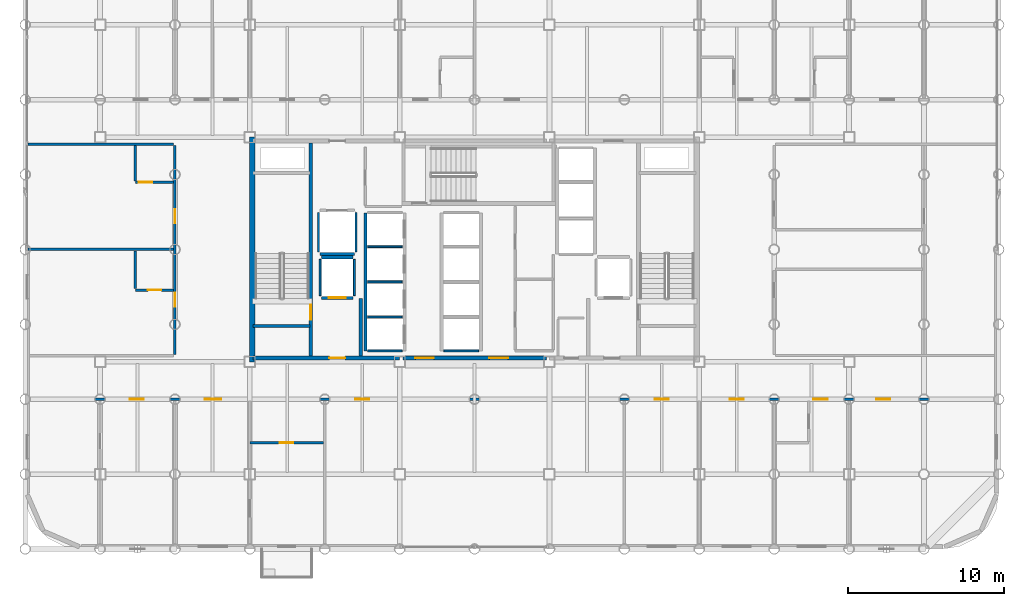
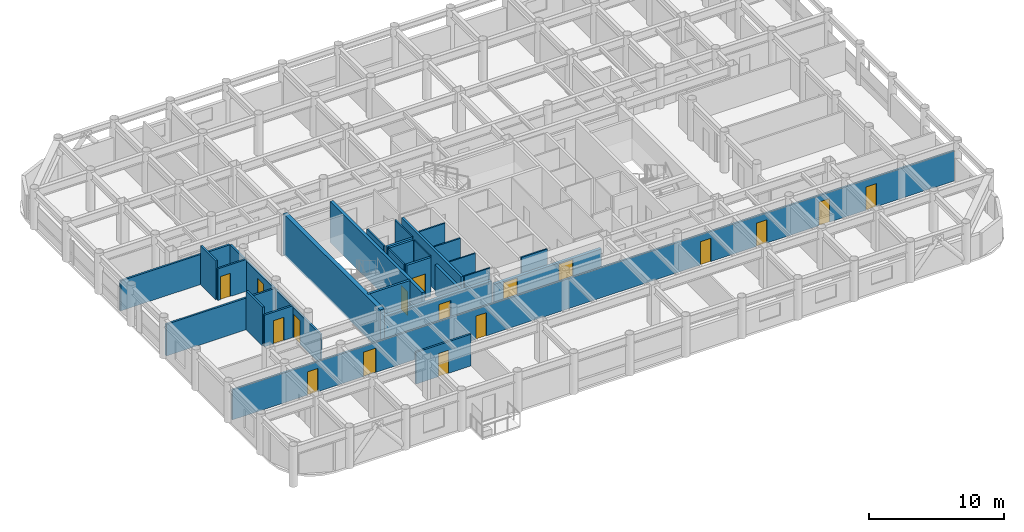
# One storey, part 17 of 22: 28 walls, 17 doors, 17 openings.
"""IFC4 building model written with IfcOpenShell, lengths in metres."""

from ifc_helpers import new_model, si_unit, direction, frame, frame_2d, origin, place, context, subcontext, project, spatial, rectangle, extrude, material, layer, layer_set, type_object, element, fill, save


model = new_model("IFC4")

# Units and contexts
model_context = context("Model", 3, precision=1e-05, world=origin(), true_north=direction((0.0, 1.0)))
body_context = subcontext(model_context, "Body", "Model", "MODEL_VIEW")
ifc_project = project(units=[si_unit("LENGTHUNIT", "METRE"), si_unit("AREAUNIT", "SQUARE_METRE"), si_unit("VOLUMEUNIT", "CUBIC_METRE"), si_unit("PLANEANGLEUNIT", "RADIAN"), si_unit("MASSUNIT", "GRAM", prefix="KILO")], contexts=[model_context])

# Site, building, storey
site_placement = place(None, origin())
site = spatial("IfcSite", under=ifc_project, at=site_placement, CompositionType="ELEMENT")
building_placement = place(site_placement, origin())
building = spatial("IfcBuilding", under=site, at=building_placement, Name="Kallvorn Hotel Tower", CompositionType="ELEMENT")
storey_placement = place(building_placement, frame((0.0, 0.0, 102.60009765625)))
storey = spatial("IfcBuildingStorey", under=building, at=storey_placement, Name="L24", CompositionType="ELEMENT", Elevation=102.60009765625)

# Wall
ifc_material_1 = material(Name="Concrete C50/60", Category="concrete")
ifc_layer_1 = layer(ifc_material_1, 0.35009765625)
ifc_layer_set_1 = layer_set([ifc_layer_1], Name="WL_CORE_350")
wall_type_1 = type_object("IfcWallType", Name="WL_CORE_350", PredefinedType="SHEAR", material=ifc_layer_set_1)
wall_1_placement = place(storey_placement, frame((-14.239990234375, -7.199951171875, -0.18017578125), z_axis=(0.0, 0.0, 1.0), x_axis=(0.0, 1.0, 0.0)))
element("IfcWall", 1, at=wall_1_placement, inside=storey, type_object=wall_type_1, Name="L24 Core West Shear Wall", PredefinedType="SHEAR", context=body_context, shape_type="SweptSolid", body=[
    extrude(rectangle(XDim=14.39990234375, YDim=0.35009765625, at=frame_2d((7.199951171875, 0.0))), origin(), (0.0, 0.0, 1.0), 3.7001953125),
])

# Wall, opening, door
ifc_material_2 = material(Name="Fire-rated double-layer acoustic gypsum drywall EI 60")
ifc_layer_2 = layer(ifc_material_2, 0.159912109375)
ifc_layer_set_2 = layer_set([ifc_layer_2], Name="WL_DEMISE_160")
wall_type_2 = type_object("IfcWallType", Name="WL_DEMISE_160", PredefinedType="PARTITIONING", material=ifc_layer_set_2)
wall_2_placement = place(storey_placement, frame((-14.39990234375, -12.39501953125, 0.0), z_axis=(0.0, 0.0, 1.0), x_axis=(1.0, 0.0, 0.0)))
wall_2 = element("IfcWall", 2, at=wall_2_placement, inside=storey, type_object=wall_type_2, Name="L24 Suite 2403 Executive Bedroom Partition", PredefinedType="PARTITIONING", context=body_context, shape_type="SweptSolid", body=[
    extrude(rectangle(XDim=4.719970703125, YDim=0.159912109375, at=frame_2d((2.35986328125, 0.0))), origin(), (0.0, 0.0, 1.0), 2.869873046875),
])
opening_1_placement = place(wall_2_placement, frame((1.929931640625, 0.0, 0.0)))
opening_1 = element("IfcOpeningElement", 3, at=opening_1_placement, cuts=wall_2, Name="Opening BD-I", PredefinedType="OPENING", context=body_context, shape_type="SweptSolid", body=[
    extrude(rectangle(XDim=0.860107421875, YDim=2.10009765625, at=frame_2d((0.43017578125, 1.050048828125))), frame((0.0, 0.094970703125, 0.0), z_axis=(0.0, -1.0, 0.0), x_axis=(1.0, 0.0, 0.0)), (0.0, 0.0, 1.0), 0.18994140625),
])
ifc_material_3 = material(Name="Solid-core walnut veneer fire-rated timber door leaf", Category="wood")
door_type_1 = type_object("IfcDoorType", Name="DR_BATH_860x2100", OperationType="NOTDEFINED", PredefinedType="DOOR", material=ifc_material_3)
door_1_placement = place(opening_1_placement, origin())
door_1 = element("IfcDoor", 4, at=door_1_placement, inside=storey, type_object=door_type_1, Name="L24 Suite 2403 En-Suite Bathroom Door", OperationType="SINGLE_SWING_RIGHT", OverallHeight=2.10009765625, OverallWidth=0.860107421875, PredefinedType="DOOR", context=body_context, shape_type="SweptSolid", body=[
    extrude(rectangle(XDim=0.860107421875, YDim=2.10009765625, at=frame_2d((0.43017578125, 1.050048828125))), frame((0.0, 0.02490234375, 0.0), z_axis=(0.0, -1.0, 0.0), x_axis=(1.0, 0.0, 0.0)), (0.0, 0.0, 1.0), 0.050048828125),
])
fill(opening_1, door_1)

# Wall, openings, doors
wall_3_placement = place(storey_placement, frame((-28.510009765625, -9.60009765625, 0.0), z_axis=(0.0, 0.0, 1.0), x_axis=(1.0, 0.0, 0.0)))
wall_3 = element("IfcWall", 5, at=wall_3_placement, inside=storey, type_object=wall_type_2, Name="L24 Suite 2403 Executive Living Salon Partition", PredefinedType="PARTITIONING", context=body_context, shape_type="SweptSolid", body=[
    extrude(rectangle(XDim=61.820068359375, YDim=0.159912109375, at=frame_2d((30.91015625, 0.0))), origin(), (0.0, 0.0, 1.0), 2.719970703125),
])
opening_2_placement = place(wall_3_placement, frame((6.419921875, 0.0, 0.0)))
opening_2 = element("IfcOpeningElement", 6, at=opening_2_placement, cuts=wall_3, Name="Opening SVD1", PredefinedType="OPENING", context=body_context, shape_type="SweptSolid", body=[
    extrude(rectangle(XDim=0.89990234375, YDim=2.10009765625, at=frame_2d((0.449951171875, 1.050048828125))), frame((0.0, 0.094970703125, 0.0), z_axis=(0.0, -1.0, 0.0), x_axis=(1.0, 0.0, 0.0)), (0.0, 0.0, 1.0), 0.18994140625),
])
opening_3_placement = place(wall_3_placement, frame((54.240478515625, 0.0, 0.0)))
opening_3 = element("IfcOpeningElement", 7, at=opening_3_placement, cuts=wall_3, Name="Opening SVD1", PredefinedType="OPENING", context=body_context, shape_type="SweptSolid", body=[
    extrude(rectangle(XDim=0.89990234375, YDim=2.10009765625, at=frame_2d((0.449951171875, 1.050048828125))), frame((0.0, 0.094970703125, 0.0), z_axis=(0.0, -1.0, 0.0), x_axis=(1.0, 0.0, 0.0)), (0.0, 0.0, 1.0), 0.18994140625),
])
opening_4_placement = place(wall_3_placement, frame((11.22509765625, 0.0, 0.0)))
opening_4 = element("IfcOpeningElement", 8, at=opening_4_placement, cuts=wall_3, Name="Opening GD2", PredefinedType="OPENING", context=body_context, shape_type="SweptSolid", body=[
    extrude(rectangle(XDim=1.050048828125, YDim=2.199951171875, at=frame_2d((0.52490234375, 1.10009765625))), frame((0.0, 0.094970703125, 0.0), z_axis=(0.0, -1.0, 0.0), x_axis=(1.0, 0.0, 0.0)), (0.0, 0.0, 1.0), 0.18994140625),
])
opening_5_placement = place(wall_3_placement, frame((20.860107421875, 0.0, 0.0)))
opening_5 = element("IfcOpeningElement", 9, at=opening_5_placement, cuts=wall_3, Name="Opening SVD1", PredefinedType="OPENING", context=body_context, shape_type="SweptSolid", body=[
    extrude(rectangle(XDim=0.89990234375, YDim=2.10009765625, at=frame_2d((0.449951171875, 1.050048828125))), frame((0.0, 0.094970703125, 0.0), z_axis=(0.0, -1.0, 0.0), x_axis=(1.0, 0.0, 0.0)), (0.0, 0.0, 1.0), 0.18994140625),
])
opening_6_placement = place(wall_3_placement, frame((40.06005859375, 0.0, 0.0)))
opening_6 = element("IfcOpeningElement", 10, at=opening_6_placement, cuts=wall_3, Name="Opening SVD1", PredefinedType="OPENING", context=body_context, shape_type="SweptSolid", body=[
    extrude(rectangle(XDim=0.89990234375, YDim=2.10009765625, at=frame_2d((0.449951171875, 1.050048828125))), frame((0.0, 0.094970703125, 0.0), z_axis=(0.0, -1.0, 0.0), x_axis=(1.0, 0.0, 0.0)), (0.0, 0.0, 1.0), 0.18994140625),
])
opening_7_placement = place(wall_3_placement, frame((44.860107421875, 0.0, 0.0)))
opening_7 = element("IfcOpeningElement", 11, at=opening_7_placement, cuts=wall_3, Name="Opening SVD1", PredefinedType="OPENING", context=body_context, shape_type="SweptSolid", body=[
    extrude(rectangle(XDim=0.89990234375, YDim=2.10009765625, at=frame_2d((0.449951171875, 1.050048828125))), frame((0.0, 0.094970703125, 0.0), z_axis=(0.0, -1.0, 0.0), x_axis=(1.0, 0.0, 0.0)), (0.0, 0.0, 1.0), 0.18994140625),
])
opening_8_placement = place(wall_3_placement, frame((50.219970703125, 0.0, 0.0)))
opening_8 = element("IfcOpeningElement", 12, at=opening_8_placement, cuts=wall_3, Name="Opening GD1", PredefinedType="OPENING", context=body_context, shape_type="SweptSolid", body=[
    extrude(rectangle(XDim=0.919921875, YDim=2.14990234375, at=frame_2d((0.4599609375, 1.074951171875))), frame((0.0, 0.094970703125, 0.0), z_axis=(0.0, -1.0, 0.0), x_axis=(1.0, 0.0, 0.0)), (0.0, 0.0, 1.0), 0.18994140625),
])
ifc_material_4 = material(Name="Solid-core walnut veneer fire-rated timber door leaf", Category="wood")
door_type_2 = type_object("IfcDoorType", Name="DR_GUEST_920x2150", OperationType="NOTDEFINED", PredefinedType="DOOR", material=ifc_material_4)
door_2_placement = place(opening_8_placement, origin())
door_2 = element("IfcDoor", 13, at=door_2_placement, inside=storey, type_object=door_type_2, Name="L24 Suite 2404 Deluxe King Room Door", OperationType="SINGLE_SWING_LEFT", OverallHeight=2.14990234375, OverallWidth=0.919921875, PredefinedType="DOOR", context=body_context, shape_type="SweptSolid", body=[
    extrude(rectangle(XDim=0.919921875, YDim=2.14990234375, at=frame_2d((0.4599609375, 1.074951171875))), frame((0.0, 0.02490234375, 0.0), z_axis=(0.0, -1.0, 0.0), x_axis=(1.0, 0.0, 0.0)), (0.0, 0.0, 1.0), 0.050048828125),
])
fill(opening_8, door_2)
ifc_material_5 = material(Name="Galvanised painted steel fire-rated door assembly", Category="steel")
door_type_3 = type_object("IfcDoorType", Name="DR_SERV_900x2100", OperationType="NOTDEFINED", PredefinedType="DOOR", material=ifc_material_5)
door_3_placement = place(opening_2_placement, origin())
door_3 = element("IfcDoor", 14, at=door_3_placement, inside=storey, type_object=door_type_3, Name="L24 L24 South-West Botanical Bar B Door", OperationType="SINGLE_SWING_LEFT", OverallHeight=2.10009765625, OverallWidth=0.89990234375, PredefinedType="DOOR", context=body_context, shape_type="SweptSolid", body=[
    extrude(rectangle(XDim=0.89990234375, YDim=2.10009765625, at=frame_2d((0.449951171875, 1.050048828125))), frame((0.0, 0.02490234375, 0.0), z_axis=(0.0, -1.0, 0.0), x_axis=(1.0, 0.0, 0.0)), (0.0, 0.0, 1.0), 0.050048828125),
])
fill(opening_2, door_3)
door_4_placement = place(opening_3_placement, origin())
door_4 = element("IfcDoor", 15, at=door_4_placement, inside=storey, type_object=door_type_3, Name="L24 L24 South-East Sommelier Bar Door", OperationType="SINGLE_SWING_RIGHT", OverallHeight=2.10009765625, OverallWidth=0.89990234375, PredefinedType="DOOR", context=body_context, shape_type="SweptSolid", body=[
    extrude(rectangle(XDim=0.89990234375, YDim=2.10009765625, at=frame_2d((0.449951171875, 1.050048828125))), frame((0.0, 0.02490234375, 0.0), z_axis=(0.0, -1.0, 0.0), x_axis=(1.0, 0.0, 0.0)), (0.0, 0.0, 1.0), 0.050048828125),
])
fill(opening_3, door_4)
door_5_placement = place(opening_5_placement, origin())
door_5 = element("IfcDoor", 16, at=door_5_placement, inside=storey, type_object=door_type_3, Name="L24 L24 Panorama Banquet Event Hall 2 Door", OperationType="SINGLE_SWING_LEFT", OverallHeight=2.10009765625, OverallWidth=0.89990234375, PredefinedType="DOOR", context=body_context, shape_type="SweptSolid", body=[
    extrude(rectangle(XDim=0.89990234375, YDim=2.10009765625, at=frame_2d((0.449951171875, 1.050048828125))), frame((0.0, 0.02490234375, 0.0), z_axis=(0.0, -1.0, 0.0), x_axis=(1.0, 0.0, 0.0)), (0.0, 0.0, 1.0), 0.050048828125),
])
fill(opening_5, door_5)
door_6_placement = place(opening_6_placement, origin())
door_6 = element("IfcDoor", 17, at=door_6_placement, inside=storey, type_object=door_type_3, Name="L24 L24 Restaurant Culinary Catering Kitchen 3-1 Door", OperationType="SINGLE_SWING_LEFT", OverallHeight=2.10009765625, OverallWidth=0.89990234375, PredefinedType="DOOR", context=body_context, shape_type="SweptSolid", body=[
    extrude(rectangle(XDim=0.89990234375, YDim=2.10009765625, at=frame_2d((0.449951171875, 1.050048828125))), frame((0.0, 0.02490234375, 0.0), z_axis=(0.0, -1.0, 0.0), x_axis=(1.0, 0.0, 0.0)), (0.0, 0.0, 1.0), 0.050048828125),
])
fill(opening_6, door_6)
door_7_placement = place(opening_7_placement, origin())
door_7 = element("IfcDoor", 18, at=door_7_placement, inside=storey, type_object=door_type_3, Name="L24 L24 Restaurant Culinary Catering Kitchen 3-2 Door", OperationType="SINGLE_SWING_RIGHT", OverallHeight=2.10009765625, OverallWidth=0.89990234375, PredefinedType="DOOR", context=body_context, shape_type="SweptSolid", body=[
    extrude(rectangle(XDim=0.89990234375, YDim=2.10009765625, at=frame_2d((0.449951171875, 1.050048828125))), frame((0.0, 0.02490234375, 0.0), z_axis=(0.0, -1.0, 0.0), x_axis=(1.0, 0.0, 0.0)), (0.0, 0.0, 1.0), 0.050048828125),
])
fill(opening_7, door_7)
ifc_material_6 = material(Name="Solid-core walnut veneer fire-rated timber door leaf", Category="wood")
door_type_4 = type_object("IfcDoorType", Name="DR_SUITE_1050x2200", OperationType="NOTDEFINED", PredefinedType="DOOR", material=ifc_material_6)
door_8_placement = place(opening_4_placement, origin())
door_8 = element("IfcDoor", 19, at=door_8_placement, inside=storey, type_object=door_type_4, Name="L24 Suite 2403 Executive Living Salon Door", OperationType="SINGLE_SWING_RIGHT", OverallHeight=2.199951171875, OverallWidth=1.050048828125, PredefinedType="DOOR", context=body_context, shape_type="SweptSolid", body=[
    extrude(rectangle(XDim=1.050048828125, YDim=2.199951171875, at=frame_2d((0.52490234375, 1.10009765625))), frame((0.0, 0.02490234375, 0.0), z_axis=(0.0, -1.0, 0.0), x_axis=(1.0, 0.0, 0.0)), (0.0, 0.0, 1.0), 0.050048828125),
])
fill(opening_4, door_8)

# Wall, opening, door
wall_4_placement = place(storey_placement, frame((-21.72998046875, -2.60009765625, 0.0), z_axis=(0.0, 0.0, 1.0), x_axis=(1.0, 0.0, 0.0)))
wall_4 = element("IfcWall", 20, at=wall_4_placement, inside=storey, type_object=wall_type_2, Name="L24 Suite 2401 W Loggia King Room Partition", PredefinedType="PARTITIONING", context=body_context, shape_type="SweptSolid", body=[
    extrude(rectangle(XDim=2.449951171875, YDim=0.159912109375, at=frame_2d((1.22509765625, 0.0))), origin(), (0.0, 0.0, 1.0), 2.869873046875),
])
opening_9_placement = place(wall_4_placement, frame((0.794921875, 0.0, 0.0)))
opening_9 = element("IfcOpeningElement", 21, at=opening_9_placement, cuts=wall_4, Name="Opening BD-I", PredefinedType="OPENING", context=body_context, shape_type="SweptSolid", body=[
    extrude(rectangle(XDim=0.860107421875, YDim=2.10009765625, at=frame_2d((0.43017578125, 1.050048828125))), frame((0.0, 0.094970703125, 0.0), z_axis=(0.0, -1.0, 0.0), x_axis=(1.0, 0.0, 0.0)), (0.0, 0.0, 1.0), 0.18994140625),
])
door_9_placement = place(opening_9_placement, origin())
door_9 = element("IfcDoor", 22, at=door_9_placement, inside=storey, type_object=door_type_1, Name="L24 Suite 2401 En-Suite Bathroom Door", OperationType="SINGLE_SWING_RIGHT", OverallHeight=2.10009765625, OverallWidth=0.860107421875, PredefinedType="DOOR", context=body_context, shape_type="SweptSolid", body=[
    extrude(rectangle(XDim=0.860107421875, YDim=2.10009765625, at=frame_2d((0.43017578125, 1.050048828125))), frame((0.0, 0.02490234375, 0.0), z_axis=(0.0, -1.0, 0.0), x_axis=(1.0, 0.0, 0.0)), (0.0, 0.0, 1.0), 0.050048828125),
])
fill(opening_9, door_9)

# Wall
wall_5_placement = place(storey_placement, frame((-28.6298828125, 0.0, 0.0), z_axis=(0.0, 0.0, 1.0), x_axis=(1.0, 0.0, 0.0)))
element("IfcWall", 23, at=wall_5_placement, inside=storey, type_object=wall_type_2, Name="L24 Suite 2402 W Andean Twin Room Partition", PredefinedType="PARTITIONING", context=body_context, shape_type="SweptSolid", body=[
    extrude(rectangle(XDim=9.349853515625, YDim=0.159912109375, at=frame_2d((4.6748046875, 0.0))), origin(), (0.0, 0.0, 1.0), 2.869873046875),
])

# Wall, opening, door
wall_6_placement = place(storey_placement, frame((-21.72998046875, 4.300048828125, 0.0), z_axis=(0.0, 0.0, 1.0), x_axis=(1.0, 0.0, 0.0)))
wall_6 = element("IfcWall", 24, at=wall_6_placement, inside=storey, type_object=wall_type_2, Name="L24 Suite 2402 W Andean Twin Room Partition", PredefinedType="PARTITIONING", context=body_context, shape_type="SweptSolid", body=[
    extrude(rectangle(XDim=2.449951171875, YDim=0.159912109375, at=frame_2d((1.22509765625, 0.0))), origin(), (0.0, 0.0, 1.0), 2.869873046875),
])
opening_10_placement = place(wall_6_placement, frame((0.219970703125, 0.0, 0.0)))
opening_10 = element("IfcOpeningElement", 25, at=opening_10_placement, cuts=wall_6, Name="Opening BD-I", PredefinedType="OPENING", context=body_context, shape_type="SweptSolid", body=[
    extrude(rectangle(XDim=0.860107421875, YDim=2.10009765625, at=frame_2d((0.43017578125, 1.050048828125))), frame((0.0, 0.094970703125, 0.0), z_axis=(0.0, -1.0, 0.0), x_axis=(1.0, 0.0, 0.0)), (0.0, 0.0, 1.0), 0.18994140625),
])
door_10_placement = place(opening_10_placement, origin())
door_10 = element("IfcDoor", 26, at=door_10_placement, inside=storey, type_object=door_type_1, Name="L24 Suite 2402 En-Suite Bathroom Door", OperationType="SINGLE_SWING_RIGHT", OverallHeight=2.10009765625, OverallWidth=0.860107421875, PredefinedType="DOOR", context=body_context, shape_type="SweptSolid", body=[
    extrude(rectangle(XDim=0.860107421875, YDim=2.10009765625, at=frame_2d((0.43017578125, 1.050048828125))), frame((0.0, 0.02490234375, 0.0), z_axis=(0.0, -1.0, 0.0), x_axis=(1.0, 0.0, 0.0)), (0.0, 0.0, 1.0), 0.050048828125),
])
fill(opening_10, door_10)

# Walls
wall_7_placement = place(storey_placement, frame((-28.6298828125, 6.75, 0.0), z_axis=(0.0, 0.0, 1.0), x_axis=(1.0, 0.0, 0.0)))
element("IfcWall", 27, at=wall_7_placement, inside=storey, type_object=wall_type_2, Name="L24 Suite 2402 W Andean Twin Room Partition", PredefinedType="PARTITIONING", context=body_context, shape_type="SweptSolid", body=[
    extrude(rectangle(XDim=9.349853515625, YDim=0.159912109375, at=frame_2d((4.6748046875, 0.0))), origin(), (0.0, 0.0, 1.0), 2.719970703125),
])
wall_8_placement = place(storey_placement, frame((-21.72998046875, -2.514892578125, 0.0), z_axis=(0.0, 0.0, 1.0), x_axis=(0.0, 1.0, 0.0)))
element("IfcWall", 28, at=wall_8_placement, inside=storey, type_object=wall_type_2, Name="L24 Suite 2401 W Loggia King Room Partition", PredefinedType="PARTITIONING", context=body_context, shape_type="SweptSolid", body=[
    extrude(rectangle(XDim=2.414794921875, YDim=0.159912109375, at=frame_2d((1.20751953125, 0.0))), origin(), (0.0, 0.0, 1.0), 3.52001953125),
])
wall_9_placement = place(storey_placement, frame((-21.72998046875, 4.385009765625, 0.0), z_axis=(0.0, 0.0, 1.0), x_axis=(0.0, 1.0, 0.0)))
element("IfcWall", 29, at=wall_9_placement, inside=storey, type_object=wall_type_2, Name="L24 Suite 2402 W Andean Twin Room Partition", PredefinedType="PARTITIONING", context=body_context, shape_type="SweptSolid", body=[
    extrude(rectangle(XDim=2.280029296875, YDim=0.159912109375, at=frame_2d((1.14013671875, 0.0))), origin(), (0.0, 0.0, 1.0), 3.52001953125),
])

# Wall, openings, doors
wall_10_placement = place(storey_placement, frame((-19.199951171875, -6.715087890625, 0.0), z_axis=(0.0, 0.0, 1.0), x_axis=(0.0, 1.0, 0.0)))
wall_10 = element("IfcWall", 30, at=wall_10_placement, inside=storey, type_object=wall_type_2, Name="L24 Suite 2401 W Loggia King Room Partition", PredefinedType="PARTITIONING", context=body_context, shape_type="SweptSolid", body=[
    extrude(rectangle(XDim=13.380126953125, YDim=0.159912109375, at=frame_2d((6.68994140625, 0.0))), origin(), (0.0, 0.0, 1.0), 2.719970703125),
])
opening_11_placement = place(wall_10_placement, frame((3.034912109375, 0.0, 0.0)))
opening_11 = element("IfcOpeningElement", 31, at=opening_11_placement, cuts=wall_10, Name="Opening GD1", PredefinedType="OPENING", context=body_context, shape_type="SweptSolid", body=[
    extrude(rectangle(XDim=0.919921875, YDim=2.14990234375, at=frame_2d((0.4599609375, 1.074951171875))), frame((0.0, 0.094970703125, 0.0), z_axis=(0.0, -1.0, 0.0), x_axis=(1.0, 0.0, 0.0)), (0.0, 0.0, 1.0), 0.18994140625),
])
opening_12_placement = place(wall_10_placement, frame((8.385009765625, 0.0, 0.0)))
opening_12 = element("IfcOpeningElement", 32, at=opening_12_placement, cuts=wall_10, Name="Opening GD1", PredefinedType="OPENING", context=body_context, shape_type="SweptSolid", body=[
    extrude(rectangle(XDim=0.919921875, YDim=2.14990234375, at=frame_2d((0.4599609375, 1.074951171875))), frame((0.0, 0.094970703125, 0.0), z_axis=(0.0, -1.0, 0.0), x_axis=(1.0, 0.0, 0.0)), (0.0, 0.0, 1.0), 0.18994140625),
])
door_11_placement = place(opening_11_placement, origin())
door_11 = element("IfcDoor", 33, at=door_11_placement, inside=storey, type_object=door_type_2, Name="L24 Suite 2401 W Loggia King Room Door", OperationType="SINGLE_SWING_LEFT", OverallHeight=2.14990234375, OverallWidth=0.919921875, PredefinedType="DOOR", context=body_context, shape_type="SweptSolid", body=[
    extrude(rectangle(XDim=0.919921875, YDim=2.14990234375, at=frame_2d((0.4599609375, 1.074951171875))), frame((0.0, 0.02490234375, 0.0), z_axis=(0.0, -1.0, 0.0), x_axis=(1.0, 0.0, 0.0)), (0.0, 0.0, 1.0), 0.050048828125),
])
fill(opening_11, door_11)
door_12_placement = place(opening_12_placement, origin())
door_12 = element("IfcDoor", 34, at=door_12_placement, inside=storey, type_object=door_type_2, Name="L24 Suite 2402 W Andean Twin Room Door", OperationType="SINGLE_SWING_RIGHT", OverallHeight=2.14990234375, OverallWidth=0.919921875, PredefinedType="DOOR", context=body_context, shape_type="SweptSolid", body=[
    extrude(rectangle(XDim=0.919921875, YDim=2.14990234375, at=frame_2d((0.4599609375, 1.074951171875))), frame((0.0, 0.02490234375, 0.0), z_axis=(0.0, -1.0, 0.0), x_axis=(1.0, 0.0, 0.0)), (0.0, 0.0, 1.0), 0.050048828125),
])
fill(opening_12, door_12)

# Walls
ifc_material_7 = material(Name="Concrete C40/50", Category="concrete")
ifc_layer_3 = layer(ifc_material_7, 0.219970703125)
ifc_layer_set_3 = layer_set([ifc_layer_3], Name="WL_FFL_220")
wall_type_3 = type_object("IfcWallType", Name="WL_FFL_220", PredefinedType="SOLIDWALL", material=ifc_layer_set_3)
wall_11_placement = place(storey_placement, frame((-7.300048828125, -6.820068359375, 0.0), z_axis=(0.0, 0.0, 1.0), x_axis=(0.0, 1.0, 0.0)))
element("IfcWall", 35, at=wall_11_placement, inside=storey, type_object=wall_type_3, Name="L24 Firefighting Lobby West Divider Wall", PredefinedType="SOLIDWALL", context=body_context, shape_type="SweptSolid", body=[
    extrude(rectangle(XDim=3.670166015625, YDim=0.219970703125, at=frame_2d((1.8349609375, 0.0))), origin(), (0.0, 0.0, 1.0), 2.719970703125),
])
ifc_material_8 = material(Name="Concrete C40/50", Category="concrete")
ifc_layer_4 = layer(ifc_material_8, 0.199951171875)
ifc_layer_set_4 = layer_set([ifc_layer_4], Name="WL_HOIST_200")
wall_type_4 = type_object("IfcWallType", Name="WL_HOIST_200", PredefinedType="SOLIDWALL", material=ifc_layer_set_4)
wall_12_placement = place(storey_placement, frame((-14.199951171875, -4.89990234375, -0.18017578125), z_axis=(0.0, 0.0, 1.0), x_axis=(1.0, 0.0, 0.0)))
element("IfcWall", 36, at=wall_12_placement, inside=storey, type_object=wall_type_4, Name="L24 Stair ST1 South Wall", PredefinedType="SOLIDWALL", context=body_context, shape_type="SweptSolid", body=[
    extrude(rectangle(XDim=3.64990234375, YDim=0.199951171875, at=frame_2d((1.824951171875, 0.0))), origin(), (0.0, 0.0, 1.0), 3.7001953125),
])
wall_13_placement = place(storey_placement, frame((-7.0, -6.5, 0.0), z_axis=(0.0, 0.0, 1.0), x_axis=(0.0, 1.0, 0.0)))
element("IfcWall", 37, at=wall_13_placement, inside=storey, type_object=wall_type_4, Name="L24 Lift Bank B1 Rear Shaft Wall", PredefinedType="SOLIDWALL", context=body_context, shape_type="SweptSolid", body=[
    extrude(rectangle(XDim=8.85009765625, YDim=0.199951171875, at=frame_2d((4.425048828125, 0.0))), origin(), (0.0, 0.0, 1.0), 3.52001953125),
])

# Wall, opening, door
wall_14_placement = place(storey_placement, frame((-9.820068359375, -3.10009765625, 0.0), z_axis=(0.0, 0.0, 1.0), x_axis=(1.0, 0.0, 0.0)))
wall_14 = element("IfcWall", 38, at=wall_14_placement, inside=storey, type_object=wall_type_4, Name="L24 FL-1 Landing Wall", PredefinedType="SOLIDWALL", context=body_context, shape_type="SweptSolid", body=[
    extrude(rectangle(XDim=2.0400390625, YDim=0.199951171875, at=frame_2d((1.02001953125, 0.0))), origin(), (0.0, 0.0, 1.0), 3.52001953125),
])
opening_13_placement = place(wall_14_placement, frame((0.469970703125, 0.0, 0.0)))
opening_13 = element("IfcOpeningElement", 39, at=opening_13_placement, cuts=wall_14, Name="Opening LD-FL-1", PredefinedType="OPENING", context=body_context, shape_type="SweptSolid", body=[
    extrude(rectangle(XDim=1.10009765625, YDim=2.199951171875, at=frame_2d((0.550048828125, 1.10009765625))), frame((0.0, 0.114990234375, 0.0), z_axis=(0.0, -1.0, 0.0), x_axis=(1.0, 0.0, 0.0)), (0.0, 0.0, 1.0), 0.22998046875),
])
ifc_material_9 = material(Name="Brushed stainless-steel automatic sliding lift landing door", Category="steel")
door_type_5 = type_object("IfcDoorType", Name="LD_PASS_1100x2200", OperationType="SLIDING_TO_LEFT", PredefinedType="DOOR", material=ifc_material_9)
door_13_placement = place(opening_13_placement, origin())
door_13 = element("IfcDoor", 40, at=door_13_placement, inside=storey, type_object=door_type_5, Name="L24 Lift Landing Sliding Door LD-FL-1", OperationType="SLIDING_TO_LEFT", OverallHeight=2.199951171875, OverallWidth=1.10009765625, PredefinedType="DOOR", context=body_context, shape_type="SweptSolid", body=[
    extrude(rectangle(XDim=1.10009765625, YDim=2.199951171875, at=frame_2d((0.550048828125, 1.10009765625))), frame((0.0, 0.02490234375, 0.0), z_axis=(0.0, -1.0, 0.0), x_axis=(1.0, 0.0, 0.0)), (0.0, 0.0, 1.0), 0.050048828125),
])
fill(opening_13, door_13)

# Walls
wall_15_placement = place(storey_placement, frame((-9.820068359375, -0.5, 0.0), z_axis=(0.0, 0.0, 1.0), x_axis=(1.0, 0.0, 0.0)))
element("IfcWall", 41, at=wall_15_placement, inside=storey, type_object=wall_type_4, Name="L24 FL-1 Rear Shaft Wall", PredefinedType="SOLIDWALL", context=body_context, shape_type="SweptSolid", body=[
    extrude(rectangle(XDim=2.0400390625, YDim=0.199951171875, at=frame_2d((1.02001953125, 0.0))), origin(), (0.0, 0.0, 1.0), 3.52001953125),
])
wall_16_placement = place(storey_placement, frame((-9.919921875, -0.300048828125, 0.0), z_axis=(0.0, 0.0, 1.0), x_axis=(1.0, 0.0, 0.0)))
element("IfcWall", 42, at=wall_16_placement, inside=storey, type_object=wall_type_4, Name="L24 SV-01 Rear Shaft Wall", PredefinedType="SOLIDWALL", context=body_context, shape_type="SweptSolid", body=[
    extrude(rectangle(XDim=2.239990234375, YDim=0.199951171875, at=frame_2d((1.1201171875, 0.0))), origin(), (0.0, 0.0, 1.0), 3.52001953125),
])
ifc_material_10 = material(Name="Fire-rated double-layer acoustic gypsum drywall EI 60")
ifc_layer_5 = layer(ifc_material_10, 0.1201171875)
ifc_layer_set_5 = layer_set([ifc_layer_5], Name="WL_INT_120")
wall_type_5 = type_object("IfcWallType", Name="WL_INT_120", PredefinedType="PARTITIONING", material=ifc_layer_set_5)
for number, where, z_axis, x_axis, name in (
    (43, (-6.860107421875, -6.5, 0.0), (0.0, 0.0, 1.0), (1.0, 0.0, 0.0), "L24 Lift Bank B1 South Closure Wall"),
    (44, (-6.860107421875, -4.324951171875, 0.0), (0.0, 0.0, 1.0), (1.0, 0.0, 0.0), "L24 PL-01 Hoistway Divider"),
    (45, (-6.860107421875, -2.074951171875, 0.0), (0.0, 0.0, 1.0), (1.0, 0.0, 0.0), "L24 PL-02 Hoistway Divider"),
    (46, (-6.860107421875, 0.175048828125, 0.0), (0.0, 0.0, 1.0), (1.0, 0.0, 0.0), "L24 PL-03 Hoistway Divider"),
):
    element("IfcWall", number, at=place(storey_placement, frame(where, z_axis=z_axis, x_axis=x_axis)), inside=storey, type_object=wall_type_5, Name=name, PredefinedType="PARTITIONING", context=body_context, shape_type="SweptSolid", body=[
        extrude(rectangle(XDim=2.22021484375, YDim=0.1201171875, at=frame_2d((1.110107421875, 0.0))), origin(), (0.0, 0.0, 1.0), 3.52001953125),
    ])
wall_17_placement = place(storey_placement, frame((-1.9599609375, -6.5, 0.0), z_axis=(0.0, 0.0, 1.0), x_axis=(1.0, 0.0, 0.0)))
element("IfcWall", 47, at=wall_17_placement, inside=storey, type_object=wall_type_5, Name="L24 Lift Bank B2 South Closure Wall", PredefinedType="PARTITIONING", context=body_context, shape_type="SweptSolid", body=[
    extrude(rectangle(XDim=2.219970703125, YDim=0.1201171875, at=frame_2d((1.10986328125, 0.0))), origin(), (0.0, 0.0, 1.0), 3.52001953125),
])
for number, where, z_axis, x_axis, name in (
    (48, (-9.89990234375, -2.9599609375, 0.0), (0.0, 0.0, 1.0), (0.0, 1.0, 0.0), "L24 FL-1 West Shaft Wall"),
    (49, (-7.699951171875, -2.9599609375, 0.0), (0.0, 0.0, 1.0), (0.0, 1.0, 0.0), "L24 FL-1 East Shaft Wall"),
):
    element("IfcWall", number, at=place(storey_placement, frame(where, z_axis=z_axis, x_axis=x_axis)), inside=storey, type_object=wall_type_5, Name=name, PredefinedType="PARTITIONING", context=body_context, shape_type="SweptSolid", body=[
        extrude(rectangle(XDim=2.320068359375, YDim=0.1201171875, at=frame_2d((1.16015625, 0.0))), origin(), (0.0, 0.0, 1.0), 3.52001953125),
    ])
for number, where, z_axis, x_axis, name in (
    (50, (-10.0, -0.159912109375, 0.0), (0.0, 0.0, 1.0), (0.0, 1.0, 0.0), "L24 SV-01 West Shaft Wall"),
    (51, (-7.60009765625, -0.159912109375, 0.0), (0.0, 0.0, 1.0), (0.0, 1.0, 0.0), "L24 SV-01 East Shaft Wall"),
):
    element("IfcWall", number, at=place(storey_placement, frame(where, z_axis=z_axis, x_axis=x_axis)), inside=storey, type_object=wall_type_5, Name=name, PredefinedType="PARTITIONING", context=body_context, shape_type="SweptSolid", body=[
        extrude(rectangle(XDim=2.52001953125, YDim=0.1201171875, at=frame_2d((1.260009765625, 0.0))), origin(), (0.0, 0.0, 1.0), 3.52001953125),
    ])

# Wall, opening, door
ifc_material_11 = material(Name="Concrete C40/50", Category="concrete")
ifc_layer_6 = layer(ifc_material_11, 0.25)
ifc_layer_set_6 = layer_set([ifc_layer_6], Name="WL_SHAFT_250")
wall_type_6 = type_object("IfcWallType", Name="WL_SHAFT_250", PredefinedType="SOLIDWALL", material=ifc_layer_set_6)
wall_18_placement = place(storey_placement, frame((-14.199951171875, -6.949951171875, 0.0), z_axis=(0.0, 0.0, 1.0), x_axis=(1.0, 0.0, 0.0)))
wall_18 = element("IfcWall", 52, at=wall_18_placement, inside=storey, type_object=wall_type_6, Name="L24 Core South-West Wall", PredefinedType="SOLIDWALL", context=body_context, shape_type="SweptSolid", body=[
    extrude(rectangle(XDim=9.39990234375, YDim=0.25, at=frame_2d((4.699951171875, 0.0))), origin(), (0.0, 0.0, 1.0), 2.719970703125),
])
opening_14_placement = place(wall_18_placement, frame((4.89990234375, 0.0, 0.0)))
opening_14 = element("IfcOpeningElement", 53, at=opening_14_placement, cuts=wall_18, Name="Opening FD1", PredefinedType="OPENING", context=body_context, shape_type="SweptSolid", body=[
    extrude(rectangle(XDim=1.0, YDim=2.14990234375, at=frame_2d((0.5, 1.074951171875))), frame((0.0, 0.139892578125, 0.0), z_axis=(0.0, -1.0, 0.0), x_axis=(1.0, 0.0, 0.0)), (0.0, 0.0, 1.0), 0.280029296875),
])
ifc_material_12 = material(Name="Galvanised painted steel fire-rated door assembly", Category="steel")
door_type_6 = type_object("IfcDoorType", Name="DR_FFL_1000x2150", OperationType="NOTDEFINED", PredefinedType="DOOR", material=ifc_material_12)
door_14_placement = place(opening_14_placement, origin())
door_14 = element("IfcDoor", 54, at=door_14_placement, inside=storey, type_object=door_type_6, Name="L24 Firefighting Lobby West Door", OperationType="SINGLE_SWING_LEFT", OverallHeight=2.14990234375, OverallWidth=1.0, PredefinedType="DOOR", context=body_context, shape_type="SweptSolid", body=[
    extrude(rectangle(XDim=1.0, YDim=2.14990234375, at=frame_2d((0.5, 1.074951171875))), frame((0.0, 0.02490234375, 0.0), z_axis=(0.0, -1.0, 0.0), x_axis=(1.0, 0.0, 0.0)), (0.0, 0.0, 1.0), 0.050048828125),
])
fill(opening_14, door_14)

# Wall, openings, doors
wall_19_placement = place(storey_placement, frame((-4.60009765625, -6.949951171875, 0.0), z_axis=(0.0, 0.0, 1.0), x_axis=(1.0, 0.0, 0.0)))
wall_19 = element("IfcWall", 55, at=wall_19_placement, inside=storey, type_object=wall_type_6, Name="L24 Core South-Central Wall", PredefinedType="SOLIDWALL", context=body_context, shape_type="SweptSolid", body=[
    extrude(rectangle(XDim=9.2001953125, YDim=0.25, at=frame_2d((4.60009765625, 0.0))), origin(), (0.0, 0.0, 1.0), 2.31982421875),
])
opening_15_placement = place(wall_19_placement, frame((0.800048828125, 0.0, 0.0)))
opening_15 = element("IfcOpeningElement", 56, at=opening_15_placement, cuts=wall_19, Name="Opening FD2", PredefinedType="OPENING", context=body_context, shape_type="SweptSolid", body=[
    extrude(rectangle(XDim=1.199951171875, YDim=2.199951171875, at=frame_2d((0.60009765625, 1.10009765625))), frame((0.0, 0.139892578125, 0.0), z_axis=(0.0, -1.0, 0.0), x_axis=(1.0, 0.0, 0.0)), (0.0, 0.0, 1.0), 0.280029296875),
])
opening_16_placement = place(wall_19_placement, frame((5.550048828125, 0.0, 0.0)))
opening_16 = element("IfcOpeningElement", 57, at=opening_16_placement, cuts=wall_19, Name="Opening FD2", PredefinedType="OPENING", context=body_context, shape_type="SweptSolid", body=[
    extrude(rectangle(XDim=1.199951171875, YDim=2.199951171875, at=frame_2d((0.60009765625, 1.10009765625))), frame((0.0, 0.139892578125, 0.0), z_axis=(0.0, -1.0, 0.0), x_axis=(1.0, 0.0, 0.0)), (0.0, 0.0, 1.0), 0.280029296875),
])
ifc_material_13 = material(Name="Galvanised painted steel fire-rated door assembly", Category="steel")
door_type_7 = type_object("IfcDoorType", Name="DR_LOBBY_1200x2200", OperationType="DOUBLE_DOOR_SINGLE_SWING", PredefinedType="DOOR", material=ifc_material_13)
door_15_placement = place(opening_15_placement, origin())
door_15 = element("IfcDoor", 58, at=door_15_placement, inside=storey, type_object=door_type_7, Name="L24 West Passenger Lift Lobby Door", OperationType="DOUBLE_DOOR_SINGLE_SWING", OverallHeight=2.199951171875, OverallWidth=1.199951171875, PredefinedType="DOOR", context=body_context, shape_type="SweptSolid", body=[
    extrude(rectangle(XDim=1.199951171875, YDim=2.199951171875, at=frame_2d((0.60009765625, 1.10009765625))), frame((0.0, 0.02490234375, 0.0), z_axis=(0.0, -1.0, 0.0), x_axis=(1.0, 0.0, 0.0)), (0.0, 0.0, 1.0), 0.050048828125),
])
fill(opening_15, door_15)
door_16_placement = place(opening_16_placement, origin())
door_16 = element("IfcDoor", 59, at=door_16_placement, inside=storey, type_object=door_type_7, Name="L24 East Passenger Lift Lobby Door", OperationType="DOUBLE_DOOR_SINGLE_SWING", OverallHeight=2.199951171875, OverallWidth=1.199951171875, PredefinedType="DOOR", context=body_context, shape_type="SweptSolid", body=[
    extrude(rectangle(XDim=1.199951171875, YDim=2.199951171875, at=frame_2d((0.60009765625, 1.10009765625))), frame((0.0, 0.02490234375, 0.0), z_axis=(0.0, -1.0, 0.0), x_axis=(1.0, 0.0, 0.0)), (0.0, 0.0, 1.0), 0.050048828125),
])
fill(opening_16, door_16)

# Wall, opening, door
wall_20_placement = place(storey_placement, frame((-10.5, -6.820068359375, -0.18017578125), z_axis=(0.0, 0.0, 1.0), x_axis=(0.0, 1.0, 0.0)))
wall_20 = element("IfcWall", 60, at=wall_20_placement, inside=storey, type_object=wall_type_6, Name="L24 Stair ST1 Shaft Wall", PredefinedType="SOLIDWALL", context=body_context, shape_type="SweptSolid", body=[
    extrude(rectangle(XDim=13.64013671875, YDim=0.25, at=frame_2d((6.820068359375, 0.0))), origin(), (0.0, 0.0, 1.0), 3.7001953125),
])
opening_17_placement = place(wall_20_placement, frame((2.320068359375, 0.0, 0.179931640625)))
opening_17 = element("IfcOpeningElement", 61, at=opening_17_placement, cuts=wall_20, Name="Opening SD1", PredefinedType="OPENING", context=body_context, shape_type="SweptSolid", body=[
    extrude(rectangle(XDim=0.949951171875, YDim=2.14990234375, at=frame_2d((0.47509765625, 1.074951171875))), frame((0.0, 0.139892578125, 0.0), z_axis=(0.0, -1.0, 0.0), x_axis=(1.0, 0.0, 0.0)), (0.0, 0.0, 1.0), 0.280029296875),
])
ifc_material_14 = material(Name="Galvanised painted steel fire-rated door assembly", Category="steel")
door_type_8 = type_object("IfcDoorType", Name="DR_STAIR_950x2150", OperationType="NOTDEFINED", PredefinedType="DOOR", material=ifc_material_14)
door_17_placement = place(opening_17_placement, origin())
door_17 = element("IfcDoor", 62, at=door_17_placement, inside=storey, type_object=door_type_8, Name="L24 Exit Stair ST1 Fire Door", OperationType="SINGLE_SWING_RIGHT", OverallHeight=2.14990234375, OverallWidth=0.949951171875, PredefinedType="DOOR", context=body_context, shape_type="SweptSolid", body=[
    extrude(rectangle(XDim=0.949951171875, YDim=2.14990234375, at=frame_2d((0.47509765625, 1.074951171875))), frame((0.0, 0.02490234375, 0.0), z_axis=(0.0, -1.0, 0.0), x_axis=(1.0, 0.0, 0.0)), (0.0, 0.0, 1.0), 0.050048828125),
])
fill(opening_17, door_17)

save(model, "model.ifc")
